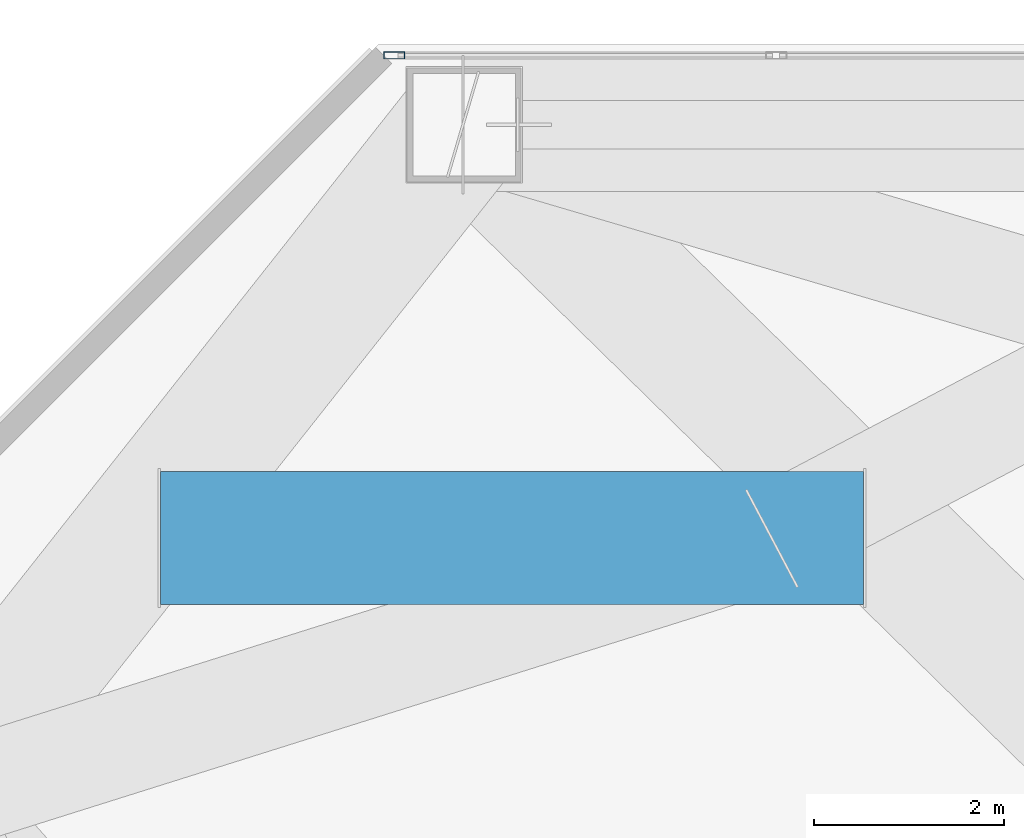
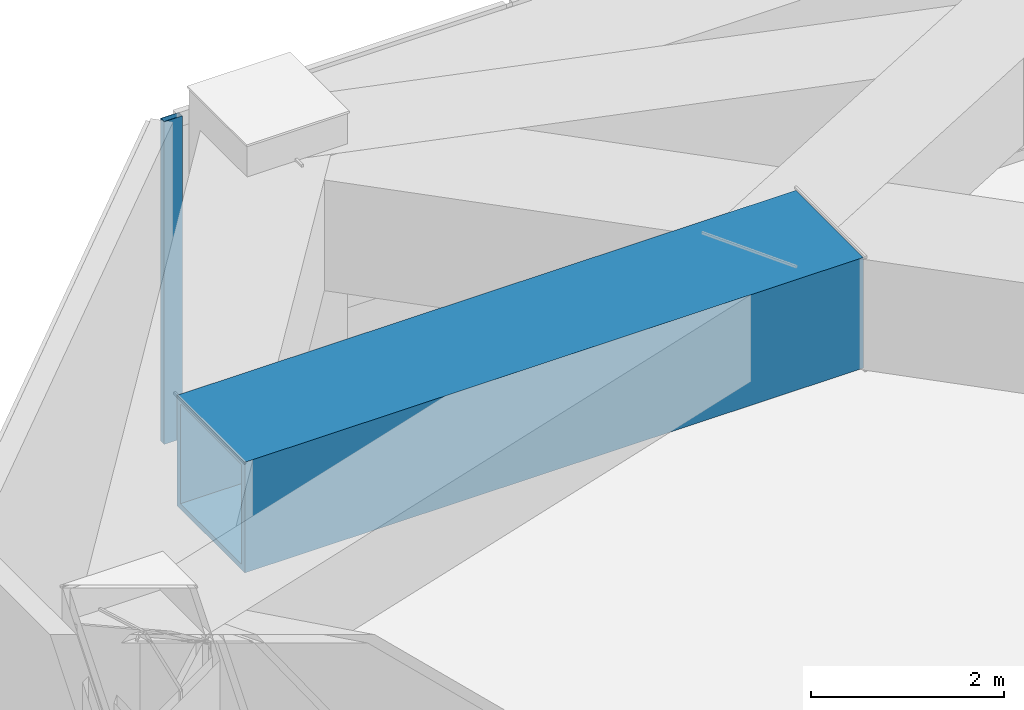
# One storey, part 3 of 27: 1 beam, 1 member, 1 element without a shape of its own.
"""IFC4 building model written with IfcOpenShell, lengths in metres."""

from ifc_helpers import new_model, si_unit, direction, frame, origin, origin_2d, place, context, subcontext, project, spatial, hollow_rectangle, extrude, material, material_profile, profile_set, type_object, element, aggregate, save


model = new_model("IFC4")

# Units and contexts
model_context = context("Model", 3, precision=1e-05, world=origin(), true_north=direction((0.0, 1.0)))
body_context = subcontext(model_context, "Body", "Model", "MODEL_VIEW")
ifc_project = project(units=[si_unit("LENGTHUNIT", "METRE"), si_unit("AREAUNIT", "SQUARE_METRE"), si_unit("VOLUMEUNIT", "CUBIC_METRE"), si_unit("PLANEANGLEUNIT", "RADIAN"), si_unit("MASSUNIT", "GRAM", prefix="KILO")], contexts=[model_context])

# Site, building, storey
site_placement = place(None, origin())
site = spatial("IfcSite", under=ifc_project, at=site_placement, CompositionType="ELEMENT")
building_placement = place(site_placement, origin())
building = spatial("IfcBuilding", under=site, at=building_placement, Name="Khamvora Tower", CompositionType="ELEMENT")
storey_placement = place(building_placement, frame((0.0, 0.0, 28.800048828125)))
storey = spatial("IfcBuildingStorey", under=building, at=storey_placement, Name="L06", CompositionType="ELEMENT", Elevation=28.800048828125)

# Beam
ifc_material_1 = material(Name="Steel S460", Category="steel")
ifc_material_profile_1 = material_profile(ifc_material_1, hollow_rectangle(XDim=1.39990234375, YDim=1.39990234375, WallThickness=0.070068359375, at=origin_2d()), Name="BOX1400x1400x70")
ifc_profile_set_1 = profile_set([ifc_material_profile_1], Name="Steel S460")
beam_type = type_object("IfcBeamType", Name="BM-TG-BOX1400", PredefinedType="BEAM", material=ifc_profile_set_1)
beam_placement = place(storey_placement, frame((3.302978515625, 50.800048828125, 3.3798828125), z_axis=(1.0, 0.0, 0.0), x_axis=(0.0, 1.0, 0.0)))
element("IfcBeam", 1, at=beam_placement, inside=storey, type_object=beam_type, Name="L06 setback frame transfer Box Girder N1", PredefinedType="BEAM", context=body_context, shape_type="SweptSolid", body=[
    extrude(hollow_rectangle(XDim=1.39990234375, YDim=1.39990234375, WallThickness=0.070068359375, at=origin_2d()), origin(), (0.0, 0.0, 1.0), 7.39990234375),
])

# Curtain wall, member
ifc_material_2 = material(Name="Anodised Aluminium 6063-T6", Category="aluminium")
curtain_wall_type = type_object("IfcCurtainWallType", Name="CW-SYS-01", PredefinedType="NOTDEFINED", material=ifc_material_2)
curtain_wall_placement = place(storey_placement, origin())
curtain_wall = element("IfcCurtainWall", 2, at=curtain_wall_placement, inside=storey, type_object=curtain_wall_type, Name="L06 stick curtain wall 07.1", PredefinedType="NOTDEFINED")
ifc_material_profile_2 = material_profile(ifc_material_2, hollow_rectangle(XDim=0.074951171875, YDim=0.219970703125, WallThickness=0.0048828125, at=origin_2d()), Name="MUL75x220x5")
ifc_profile_set_2 = profile_set([ifc_material_profile_2], Name="Anodised Aluminium 6063-T6")
member_type = type_object("IfcMemberType", Name="CW-SYS-01-MUL", PredefinedType="MULLION", material=ifc_profile_set_2)
member_placement = place(storey_placement, frame((5.764404296875, 55.8798828125, 0.0), z_axis=(0.0, 0.0, 1.0), x_axis=(0.0, 1.0, 0.0)))
member = element("IfcMember", 3, at=member_placement, type_object=member_type, Name="CW-01 mullion 1", PredefinedType="MULLION", context=body_context, shape_type="SweptSolid", body=[
    extrude(hollow_rectangle(XDim=0.074951171875, YDim=0.219970703125, WallThickness=0.0048828125, at=origin_2d()), origin(), (0.0, 0.0, 1.0), 4.079833984375),
])
aggregate(curtain_wall, [member])

save(model, "model.ifc")
